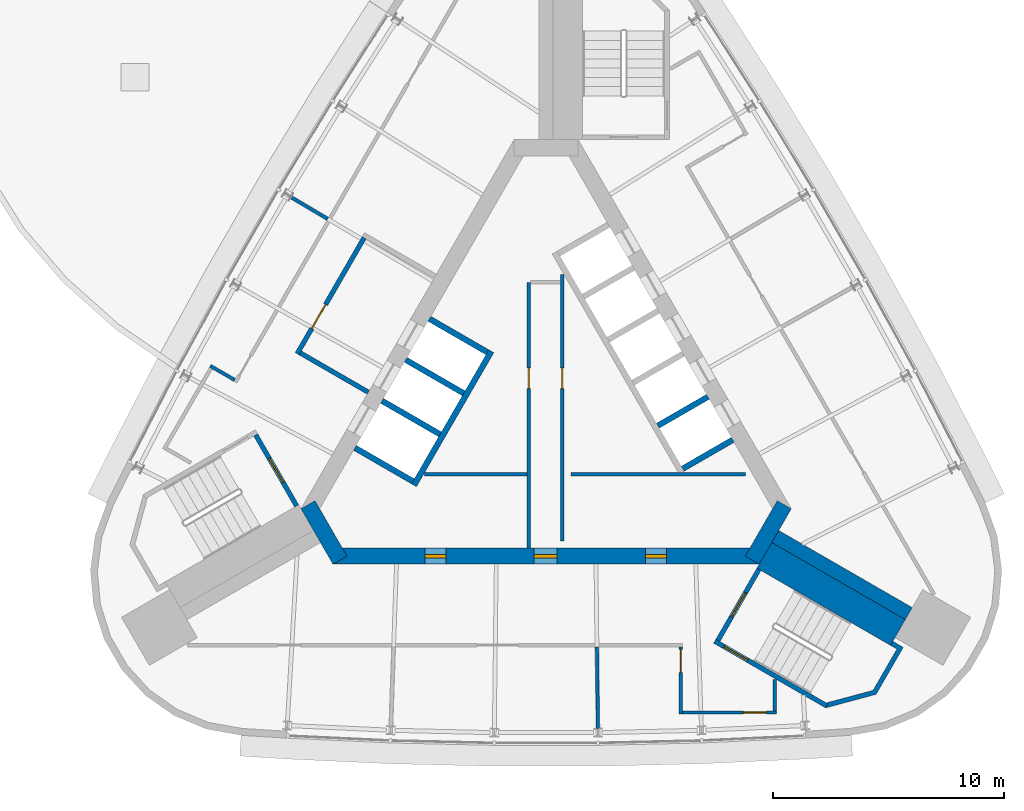
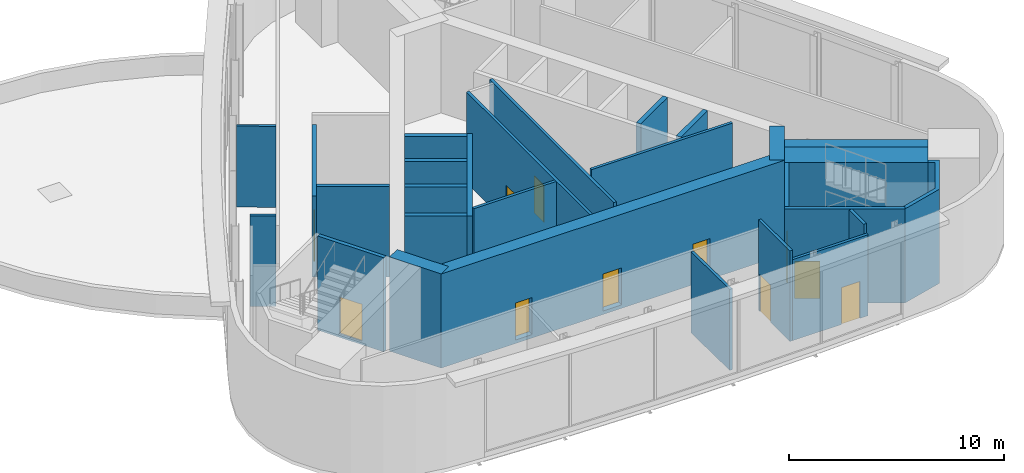
# One storey, part 4 of 8: 28 walls, 11 doors, 11 openings.
"""IFC4 building model written with IfcOpenShell, lengths in metres."""

import ifcopenshell
import ifcopenshell.guid

model = None  # the IFC model being written
_history = None  # IfcOwnerHistory: only IFC2X3 demands one
_inside = {}  # id of a spatial element -> (the spatial element, [elements in it])
_under = {}  # id of a project, library or spatial element -> (it, [spatial elements below it])
_declared = {}  # id of a project -> (the project, [libraries it declares])
_typed = {}  # id of a type object -> (the type object, [elements of that type])
_made_of = {}  # id of a material, layer set ... -> (it, [elements and type objects made of it])


def new_model(schema):
    """Start an empty IFC model of exactly this schema.

    Asked for "IFC4X3", IfcOpenShell would pick the latest addendum, in which some entities
    have other attributes; the version numbers below select the first issue.
    IFC2X3 requires an IfcOwnerHistory on every rooted entity: one is made here for all.
    """
    global model, _history
    if schema == "IFC4X3":
        model = ifcopenshell.file(schema_version=(4, 3, 0, 0))
    else:
        model = ifcopenshell.file(schema=schema)
    _inside.clear()
    _under.clear()
    _declared.clear()
    _typed.clear()
    _made_of.clear()
    _history = None
    if model.schema == "IFC2X3":
        org = make("IfcOrganization", Name="unknown")
        user = make(
            "IfcPersonAndOrganization",
            ThePerson=make("IfcPerson", FamilyName="unknown"),
            TheOrganization=org,
        )
        app = make(
            "IfcApplication",
            ApplicationDeveloper=org,
            Version="unknown",
            ApplicationFullName="unknown",
            ApplicationIdentifier="unknown",
        )
        _history = make(
            "IfcOwnerHistory",
            OwningUser=user,
            OwningApplication=app,
            ChangeAction="ADDED",
            CreationDate=0,
        )
    return model


def make(cls, **values):
    """One entity of the class cls with the attributes given. An attribute that is None is left unset."""
    return model.create_entity(
        cls, **{name: value for name, value in values.items() if value is not None}
    )


def rooted(cls, **values):
    """An entity with a GlobalId (a new one), such as an element, a storey or a relation."""
    return make(cls, GlobalId=ifcopenshell.guid.new(), OwnerHistory=_history, **values)


def si_unit(unit_type, name, prefix=None):
    """IfcSIUnit, for example si_unit("LENGTHUNIT", "METRE", prefix="MILLI")."""
    return make("IfcSIUnit", UnitType=unit_type, Prefix=prefix, Name=name)


def assignment(units):
    """IfcUnitAssignment: the units of a project."""
    return None if units is None else make("IfcUnitAssignment", Units=units)


def point(xyz):
    """IfcCartesianPoint."""
    return None if xyz is None else make("IfcCartesianPoint", Coordinates=xyz)


def direction(xyz):
    """IfcDirection."""
    return None if xyz is None else make("IfcDirection", DirectionRatios=xyz)


def frame(location, z_axis=None, x_axis=None):
    """IfcAxis2Placement3D, a coordinate frame: its origin and axes. An axis left out is left unset."""
    return make(
        "IfcAxis2Placement3D",
        Location=point(location),
        Axis=direction(z_axis),
        RefDirection=direction(x_axis),
    )


def frame_2d(location, x_axis=None):
    """IfcAxis2Placement2D, a coordinate frame in the plane: its origin and x axis."""
    return make(
        "IfcAxis2Placement2D", Location=point(location), RefDirection=direction(x_axis)
    )


def origin():
    """The frame at (0, 0, 0) with its axes left unset."""
    return frame((0.0, 0.0, 0.0))


def place(relative_to, where):
    """IfcLocalPlacement: puts the frame where relative to a parent placement (None: the world)."""
    return make(
        "IfcLocalPlacement", PlacementRelTo=relative_to, RelativePlacement=where
    )


def context(
    kind, dimensions, precision=None, world=None, true_north=None, identifier=None
):
    """IfcGeometricRepresentationContext, for example the 3D "Model" context."""
    return make(
        "IfcGeometricRepresentationContext",
        ContextIdentifier=identifier,
        ContextType=kind,
        CoordinateSpaceDimension=dimensions,
        Precision=precision,
        WorldCoordinateSystem=world,
        TrueNorth=true_north,
    )


def subcontext(parent, identifier, kind, view, scale=None):
    """IfcGeometricRepresentationSubContext, for example "Body" below "Model"."""
    return make(
        "IfcGeometricRepresentationSubContext",
        ContextIdentifier=identifier,
        ContextType=kind,
        ParentContext=parent,
        TargetScale=scale,
        TargetView=view,
    )


def project(units=None, contexts=None):
    """IfcProject with its units and contexts."""
    return rooted(
        "IfcProject",
        Name="project",
        RepresentationContexts=contexts,
        UnitsInContext=assignment(units),
    )


def spatial(cls, under=None, at=None, **own):
    """A site, building, storey or space (cls), placed at a placement, below another one or the project."""
    s = rooted(cls, ObjectPlacement=at, **own)
    if under is not None:
        _under.setdefault(under.id(), (under, []))[1].append(s)
    return s


def polyline(points):
    """IfcPolyline through the points."""
    return make("IfcPolyline", Points=[point(p) for p in points])


def profile(cls, at=None, kind="AREA", **sizes):
    """A parametric profile (cls). Its sizes go by their IFC names, for example OverallWidth=200.0."""
    return make(cls, ProfileType=kind, Position=at, **sizes)


def rectangle(**sizes):
    """IfcRectangleProfileDef."""
    return profile("IfcRectangleProfileDef", **sizes)


def outline(outer, holes=None, kind="AREA"):
    """IfcArbitraryClosedProfileDef: a profile drawn as a closed curve; with holes, ...WithVoids."""
    if holes is None:
        return make("IfcArbitraryClosedProfileDef", ProfileType=kind, OuterCurve=outer)
    return make(
        "IfcArbitraryProfileDefWithVoids",
        ProfileType=kind,
        OuterCurve=outer,
        InnerCurves=holes,
    )


def extrude(swept, where, along, depth):
    """IfcExtrudedAreaSolid: the profile swept, set in the frame where, extruded along a direction by depth."""
    return make(
        "IfcExtrudedAreaSolid",
        SweptArea=swept,
        Position=where,
        ExtrudedDirection=direction(along),
        Depth=depth,
    )


def shape(context_of_items, identifier, shape_type, items):
    """IfcShapeRepresentation: the items that make up one representation, for example the "Body"."""
    return make(
        "IfcShapeRepresentation",
        ContextOfItems=context_of_items,
        RepresentationIdentifier=identifier,
        RepresentationType=shape_type,
        Items=items,
    )


def material(Name=None, Category=None):
    """IfcMaterial."""
    return make("IfcMaterial", Name=Name, Category=Category)


def layer(
    of_material, thickness, ventilated=None, Name=None, Category=None, Priority=None
):
    """IfcMaterialLayer: one layer of a wall or slab, of a material (None: an air gap)."""
    return make(
        "IfcMaterialLayer",
        Material=of_material,
        LayerThickness=thickness,
        IsVentilated=ventilated,
        Name=Name,
        Category=Category,
        Priority=Priority,
    )


def layer_set(layers, Name=None):
    """IfcMaterialLayerSet."""
    return make("IfcMaterialLayerSet", MaterialLayers=layers, LayerSetName=Name)


def made_of(thing, what):
    """Note that an element or type object is made of a material, layer set ...; save() writes the relation."""
    if what is not None:
        _made_of.setdefault(what.id(), (what, []))[1].append(thing)
    return thing


def type_object(cls, material=None, **own):
    """A type object (cls), such as IfcWallType, which elements share."""
    return made_of(rooted(cls, **own), material)


def element(
    cls,
    number,
    at=None,
    inside=None,
    cuts=None,
    type_object=None,
    material=None,
    context=None,
    identifier="Body",
    shape_type=None,
    held_by="IfcProductDefinitionShape",
    body=None,
    shapes=None,
    **own,
):
    """One element of the class cls, such as IfcWall. Its Tag is "e" and its number.

    at: its placement. inside: the storey or other place that contains it. cuts: it is an
    opening in that element (IfcRelVoidsElement). A single representation is given by context,
    identifier, shape_type and body (its items); several are given by shapes. held_by: the class
    of the entity that holds the representations. save() writes the other relations.
    """
    e = rooted(cls, Tag="e%d" % number, ObjectPlacement=at, **own)
    if body is not None:
        shapes = [shape(context, identifier, shape_type, body)]
    if shapes is not None:
        e.Representation = make(held_by, Representations=shapes)
    if inside is not None:
        _inside.setdefault(inside.id(), (inside, []))[1].append(e)
    if cuts is not None:
        rooted(
            "IfcRelVoidsElement", RelatingBuildingElement=cuts, RelatedOpeningElement=e
        )
    if type_object is not None:
        _typed.setdefault(type_object.id(), (type_object, []))[1].append(e)
    return made_of(e, material)


def fill(opening, filler):
    """IfcRelFillsElement: the door or window that sits in an opening."""
    return rooted(
        "IfcRelFillsElement",
        RelatingOpeningElement=opening,
        RelatedBuildingElement=filler,
    )


def aggregate(whole, parts):
    """IfcRelAggregates: a whole, such as a stair, and the parts it consists of."""
    return rooted("IfcRelAggregates", RelatingObject=whole, RelatedObjects=parts)


def save(model, path):
    """Write the relations noted so far, then the file.

    IfcRelAggregates (storeys below a building ...), IfcRelContainedInSpatialStructure (elements
    in a storey), IfcRelDefinesByType, IfcRelAssociatesMaterial and IfcRelDeclares: one each for
    every whole, place, type object, material and project.
    """
    for whole, parts in _under.values():
        aggregate(whole, parts)
    for where, things in _inside.values():
        rooted(
            "IfcRelContainedInSpatialStructure",
            RelatedElements=things,
            RelatingStructure=where,
        )
    for kind, things in _typed.values():
        rooted("IfcRelDefinesByType", RelatedObjects=things, RelatingType=kind)
    for what, things in _made_of.values():
        rooted("IfcRelAssociatesMaterial", RelatedObjects=things, RelatingMaterial=what)
    for by, libraries in _declared.values():
        rooted("IfcRelDeclares", RelatingContext=by, RelatedDefinitions=libraries)
    model.write(path)


model = new_model("IFC4")

# Units and contexts
model_context = context("Model", 3, precision=1e-05, world=origin(), true_north=direction((0.0, 1.0)))
body_context = subcontext(model_context, "Body", "Model", "MODEL_VIEW")
ifc_project = project(units=[si_unit("LENGTHUNIT", "METRE"), si_unit("AREAUNIT", "SQUARE_METRE"), si_unit("VOLUMEUNIT", "CUBIC_METRE"), si_unit("PLANEANGLEUNIT", "RADIAN"), si_unit("MASSUNIT", "GRAM", prefix="KILO")], contexts=[model_context])

# Site, building, storey
site_placement = place(None, origin())
site = spatial("IfcSite", under=ifc_project, at=site_placement, CompositionType="ELEMENT")
building_placement = place(site_placement, origin())
building = spatial("IfcBuilding", under=site, at=building_placement, Name="Noor Cloister Tower", CompositionType="ELEMENT")
storey_placement = place(building_placement, frame((0.0, 0.0, 274.199951171875)))
storey = spatial("IfcBuildingStorey", under=building, at=storey_placement, Name="L70", CompositionType="ELEMENT", Elevation=274.199951171875)

# Walls
ifc_material_1 = material(Name="Concrete C60/75", Category="concrete")
ifc_layer_1 = layer(ifc_material_1, 0.60009765625)
ifc_layer_set_1 = layer_set([ifc_layer_1], Name="Buttress wall 600 C60/75")
wall_type_1 = type_object("IfcWallType", Name="Buttress wall 600 C60/75", PredefinedType="SHEAR", material=ifc_layer_set_1)
wall_1_placement = place(storey_placement, frame((9.921630859375, -5.728271484375, -0.199951171875), z_axis=(0.0, 0.0, 1.0), x_axis=(0.866032176823, -0.499988268569, 0.0)))
element("IfcWall", 1, at=wall_1_placement, inside=storey, type_object=wall_type_1, Name="Buttress wall SE L70", PredefinedType="SHEAR", context=body_context, shape_type="SweptSolid", body=[
    extrude(rectangle(XDim=6.678466796875, YDim=0.60009765625, at=frame_2d((3.33935546875, 0.0))), origin(), (0.0, 0.0, 1.0), 5.35009765625),
])
ifc_material_2 = material(Name="Concrete C30/37", Category="concrete")
ifc_layer_2 = layer(ifc_material_2, 0.14990234375)
ifc_layer_set_2 = layer_set([ifc_layer_2], Name="Core partition 150 C30/37")
wall_type_2 = type_object("IfcWallType", Name="Core partition 150 C30/37", PredefinedType="PARTITIONING", material=ifc_layer_set_2)
wall_2_placement = place(storey_placement, frame((-5.2578125, -3.0283203125, 0.0), z_axis=(0.0, 0.0, 1.0), x_axis=(1.0, 0.0, 0.0)))
element("IfcWall", 2, at=wall_2_placement, inside=storey, type_object=wall_type_2, Name="Core room partition L70 1", PredefinedType="PARTITIONING", context=body_context, shape_type="SweptSolid", body=[
    extrude(rectangle(XDim=4.42919921875, YDim=0.14990234375, at=frame_2d((2.214599609375, 0.0))), origin(), (0.0, 0.0, 1.0), 5.150146484375),
])

# Wall, opening, door
wall_3_placement = place(storey_placement, frame((-0.753662109375, 5.271728515625, 0.0), z_axis=(0.0, 0.0, 1.0), x_axis=(0.0, -1.0, 0.0)))
wall_3 = element("IfcWall", 3, at=wall_3_placement, inside=storey, type_object=wall_type_2, Name="Core room partition L70 2", PredefinedType="PARTITIONING", context=body_context, shape_type="SweptSolid", body=[
    extrude(rectangle(XDim=11.5, YDim=0.14990234375, at=frame_2d((5.75, 0.0))), origin(), (0.0, 0.0, 1.0), 5.150146484375),
])
opening_1_placement = place(wall_3_placement, frame((3.700927734375, 0.0, 0.0)))
opening_1 = element("IfcOpeningElement", 4, at=opening_1_placement, cuts=wall_3, Name="Opening L70-904", PredefinedType="OPENING", context=body_context, shape_type="SweptSolid", body=[
    extrude(rectangle(XDim=0.89990234375, YDim=2.10009765625, at=frame_2d((0.449951171875, 1.050048828125))), frame((0.0, 0.0849609375, 0.0), z_axis=(0.0, -1.0, 0.0), x_axis=(1.0, 0.0, 0.0)), (0.0, 0.0, 1.0), 0.169921875),
])
ifc_material_3 = material(Name="Steel", Category="steel")
door_type_1 = type_object("IfcDoorType", Name="Core door 900 x 2100 FD60", OperationType="SINGLE_SWING_LEFT", PredefinedType="DOOR", material=ifc_material_3)
door_1_placement = place(opening_1_placement, origin())
door_1 = element("IfcDoor", 5, at=door_1_placement, inside=storey, type_object=door_type_1, Name="Core door 4 L70", OperationType="SINGLE_SWING_RIGHT", OverallHeight=2.10009765625, OverallWidth=0.89990234375, PredefinedType="DOOR", context=body_context, shape_type="SweptSolid", body=[
    extrude(rectangle(XDim=0.89990234375, YDim=2.10009765625, at=frame_2d((0.449951171875, 1.050048828125))), frame((0.0, 0.02490234375, 0.0), z_axis=(0.0, -1.0, 0.0), x_axis=(1.0, 0.0, 0.0)), (0.0, 0.0, 1.0), 0.050048828125),
])
fill(opening_1, door_1)

wall_4_placement = place(storey_placement, frame((0.6962890625, -5.92822265625, 0.0), z_axis=(0.0, 0.0, 1.0), x_axis=(0.0, 1.0, 0.0)))
wall_4 = element("IfcWall", 6, at=wall_4_placement, inside=storey, type_object=wall_type_2, Name="Core room partition L70 4", PredefinedType="PARTITIONING", context=body_context, shape_type="SweptSolid", body=[
    extrude(rectangle(XDim=11.548583984375, YDim=0.14990234375, at=frame_2d((5.7744140625, 0.0))), origin(), (0.0, 0.0, 1.0), 5.150146484375),
])
opening_2_placement = place(wall_4_placement, frame((6.60009765625, 0.0, 0.0)))
opening_2 = element("IfcOpeningElement", 7, at=opening_2_placement, cuts=wall_4, Name="Opening L70-905", PredefinedType="OPENING", context=body_context, shape_type="SweptSolid", body=[
    extrude(rectangle(XDim=0.89990234375, YDim=2.10009765625, at=frame_2d((0.449951171875, 1.050048828125))), frame((0.0, 0.0849609375, 0.0), z_axis=(0.0, -1.0, 0.0), x_axis=(1.0, 0.0, 0.0)), (0.0, 0.0, 1.0), 0.169921875),
])
ifc_material_4 = material(Name="Steel", Category="steel")
door_type_2 = type_object("IfcDoorType", Name="Core door 900 x 2100 FD120", OperationType="SINGLE_SWING_LEFT", PredefinedType="DOOR", material=ifc_material_4)
door_2_placement = place(opening_2_placement, origin())
door_2 = element("IfcDoor", 8, at=door_2_placement, inside=storey, type_object=door_type_2, Name="Core door 5 L70", OperationType="SINGLE_SWING_LEFT", OverallHeight=2.10009765625, OverallWidth=0.89990234375, PredefinedType="DOOR", context=body_context, shape_type="SweptSolid", body=[
    extrude(rectangle(XDim=0.89990234375, YDim=2.10009765625, at=frame_2d((0.449951171875, 1.050048828125))), frame((0.0, 0.02490234375, 0.0), z_axis=(0.0, -1.0, 0.0), x_axis=(1.0, 0.0, 0.0)), (0.0, 0.0, 1.0), 0.050048828125),
])
fill(opening_2, door_2)

# Wall
wall_5_placement = place(storey_placement, frame((1.0712890625, -3.0283203125, 0.0), z_axis=(0.0, 0.0, 1.0), x_axis=(1.0, 0.0, 0.0)))
element("IfcWall", 9, at=wall_5_placement, inside=storey, type_object=wall_type_2, Name="Core room partition L70 5", PredefinedType="PARTITIONING", context=body_context, shape_type="SweptSolid", body=[
    extrude(rectangle(XDim=7.568603515625, YDim=0.14990234375, at=frame_2d((3.7841796875, 0.0))), origin(), (0.0, 0.0, 1.0), 5.150146484375),
])

# Wall, openings, doors
ifc_material_5 = material(Name="Concrete C60/75", Category="concrete")
ifc_layer_3 = layer(ifc_material_5, 0.699951171875)
ifc_layer_set_3 = layer_set([ifc_layer_3], Name="Core wall 700 C60/75")
wall_type_3 = type_object("IfcWallType", Name="Core wall 700 C60/75", PredefinedType="SHEAR", material=ifc_layer_set_3)
wall_6_placement = place(storey_placement, frame((-9.228759765625, -6.578125, -0.199951171875), z_axis=(0.0, 0.0, 1.0), x_axis=(1.0, 0.0, 0.0)))
wall_6 = element("IfcWall", 10, at=wall_6_placement, inside=storey, type_object=wall_type_3, Name="Core wall L70 1", PredefinedType="SHEAR", context=body_context, shape_type="SweptSolid", body=[
    extrude(rectangle(XDim=18.45751953125, YDim=0.699951171875, at=frame_2d((9.228759765625, 0.0))), origin(), (0.0, 0.0, 1.0), 5.35009765625),
])
opening_3_placement = place(wall_6_placement, frame((8.699951171875, 0.0, 0.199951171875)))
opening_3 = element("IfcOpeningElement", 11, at=opening_3_placement, cuts=wall_6, Name="Opening L70-901", PredefinedType="OPENING", context=body_context, shape_type="SweptSolid", body=[
    extrude(rectangle(XDim=1.0, YDim=2.10009765625, at=frame_2d((0.5, 1.050048828125))), frame((0.0, 0.35986328125, 0.0), z_axis=(0.0, -1.0, 0.0), x_axis=(1.0, 0.0, 0.0)), (0.0, 0.0, 1.0), 0.719970703125),
])
opening_4_placement = place(wall_6_placement, frame((3.989501953125, 0.0, 0.199951171875)))
opening_4 = element("IfcOpeningElement", 12, at=opening_4_placement, cuts=wall_6, Name="Opening L70-902", PredefinedType="OPENING", context=body_context, shape_type="SweptSolid", body=[
    extrude(rectangle(XDim=0.89990234375, YDim=2.10009765625, at=frame_2d((0.449951171875, 1.050048828125))), frame((0.0, 0.35986328125, 0.0), z_axis=(0.0, -1.0, 0.0), x_axis=(1.0, 0.0, 0.0)), (0.0, 0.0, 1.0), 0.719970703125),
])
opening_5_placement = place(wall_6_placement, frame((13.5390625, 0.0, 0.199951171875)))
opening_5 = element("IfcOpeningElement", 13, at=opening_5_placement, cuts=wall_6, Name="Opening L70-903", PredefinedType="OPENING", context=body_context, shape_type="SweptSolid", body=[
    extrude(rectangle(XDim=0.89990234375, YDim=2.10009765625, at=frame_2d((0.449951171875, 1.050048828125))), frame((0.0, 0.35986328125, 0.0), z_axis=(0.0, -1.0, 0.0), x_axis=(1.0, 0.0, 0.0)), (0.0, 0.0, 1.0), 0.719970703125),
])
ifc_material_6 = material(Name="Steel", Category="steel")
door_type_3 = type_object("IfcDoorType", Name="Core door 1000 x 2100 FD120", OperationType="SINGLE_SWING_LEFT", PredefinedType="DOOR", material=ifc_material_6)
door_3_placement = place(opening_3_placement, origin())
door_3 = element("IfcDoor", 14, at=door_3_placement, inside=storey, type_object=door_type_3, Name="Core door 1 L70", OperationType="SINGLE_SWING_LEFT", OverallHeight=2.10009765625, OverallWidth=1.0, PredefinedType="DOOR", context=body_context, shape_type="SweptSolid", body=[
    extrude(rectangle(XDim=1.0, YDim=2.10009765625, at=frame_2d((0.5, 1.050048828125))), frame((0.0, 0.074951171875, 0.0), z_axis=(0.0, -1.0, 0.0), x_axis=(1.0, 0.0, 0.0)), (0.0, 0.0, 1.0), 0.14990234375),
])
fill(opening_3, door_3)
door_4_placement = place(opening_4_placement, origin())
door_4 = element("IfcDoor", 15, at=door_4_placement, inside=storey, type_object=door_type_2, Name="Core door 2 L70", OperationType="SINGLE_SWING_RIGHT", OverallHeight=2.10009765625, OverallWidth=0.89990234375, PredefinedType="DOOR", context=body_context, shape_type="SweptSolid", body=[
    extrude(rectangle(XDim=0.89990234375, YDim=2.10009765625, at=frame_2d((0.449951171875, 1.050048828125))), frame((0.0, 0.074951171875, 0.0), z_axis=(0.0, -1.0, 0.0), x_axis=(1.0, 0.0, 0.0)), (0.0, 0.0, 1.0), 0.14990234375),
])
fill(opening_4, door_4)
door_5_placement = place(opening_5_placement, origin())
door_5 = element("IfcDoor", 16, at=door_5_placement, inside=storey, type_object=door_type_1, Name="Core door 3 L70", OperationType="SINGLE_SWING_LEFT", OverallHeight=2.10009765625, OverallWidth=0.89990234375, PredefinedType="DOOR", context=body_context, shape_type="SweptSolid", body=[
    extrude(rectangle(XDim=0.89990234375, YDim=2.10009765625, at=frame_2d((0.449951171875, 1.050048828125))), frame((0.0, 0.074951171875, 0.0), z_axis=(0.0, -1.0, 0.0), x_axis=(1.0, 0.0, 0.0)), (0.0, 0.0, 1.0), 0.14990234375),
])
fill(opening_5, door_5)

# Walls
for number, where, z_axis, x_axis, name in (
    (17, (8.925537109375, -6.753173828125, -0.199951171875), (0.0, 0.0, 1.0), (0.500042739161, 0.866000726912, 0.0), "Core wall L70 2"),
    (18, (-10.311279296875, -4.353271484375, -0.199951171875), (0.0, 0.0, 1.0), (0.500042739161, -0.866000726912, 0.0), "Core wall L70 6"),
):
    element("IfcWall", number, at=place(storey_placement, frame(where, z_axis=z_axis, x_axis=x_axis)), inside=storey, type_object=wall_type_3, Name=name, PredefinedType="SHEAR", context=body_context, shape_type="SweptSolid", body=[
        extrude(rectangle(XDim=2.771240234375, YDim=0.699951171875, at=frame_2d((1.3857421875, 0.0))), origin(), (0.0, 0.0, 1.0), 5.35009765625),
    ])
ifc_material_7 = material(Name="Concrete C60/75", Category="concrete")
ifc_layer_4 = layer(ifc_material_7, 0.25)
ifc_layer_set_4 = layer_set([ifc_layer_4], Name="Shaft wall 250 C60/75")
wall_type_4 = type_object("IfcWallType", Name="Shaft wall 250 C60/75", PredefinedType="PARTITIONING", material=ifc_layer_set_4)
for number, where, z_axis, x_axis, name in (
    (19, (8.081298828125, -1.540771484375, -0.199951171875), (0.0, 0.0, 1.0), (-0.866022959057, -0.500004234368, 0.0), "Lift shaft wall L70 NE 1"),
    (20, (7.00634765625, 0.3212890625, -0.199951171875), (0.0, 0.0, 1.0), (-0.866022959057, -0.500004234368, 0.0), "Lift shaft wall L70 NE 2"),
):
    element("IfcWall", number, at=place(storey_placement, frame(where, z_axis=z_axis, x_axis=x_axis)), inside=storey, type_object=wall_type_4, Name=name, PredefinedType="PARTITIONING", context=body_context, shape_type="SweptSolid", body=[
        extrude(rectangle(XDim=2.5, YDim=0.25, at=frame_2d((1.25, 0.0))), origin(), (0.0, 0.0, 1.0), 5.35009765625),
    ])
for number, where, z_axis, x_axis, name in (
    (21, (-5.056396484375, 3.69873046875, -0.199951171875), (0.0, 0.0, 1.0), (0.866032775405, -0.499987231761, 0.0), "Lift shaft wall L70 NW 3"),
    (22, (-6.081298828125, 1.92333984375, -0.199951171875), (0.0, 0.0, 1.0), (0.866032775405, -0.499987231761, 0.0), "Lift shaft wall L70 NW 4"),
    (23, (-7.106201171875, 0.14794921875, -0.199951171875), (0.0, 0.0, 1.0), (0.866032775405, -0.499987231761, 0.0), "Lift shaft wall L70 NW 5"),
    (24, (-8.28125, -1.88720703125, -0.199951171875), (0.0, 0.0, 1.0), (0.866032775405, -0.499987231761, 0.0), "Lift shaft wall L70 NW 6"),
):
    element("IfcWall", number, at=place(storey_placement, frame(where, z_axis=z_axis, x_axis=x_axis)), inside=storey, type_object=wall_type_4, Name=name, PredefinedType="PARTITIONING", context=body_context, shape_type="SweptSolid", body=[
        extrude(rectangle(XDim=2.89990234375, YDim=0.25, at=frame_2d((1.449951171875, 0.0))), origin(), (0.0, 0.0, 1.0), 5.35009765625),
    ])
wall_7_placement = place(storey_placement, frame((-2.3740234375, 2.29443359375, 0.0), z_axis=(0.0, 0.0, 1.0), x_axis=(-0.500003174267, -0.866023571113, 0.0)))
element("IfcWall", 25, at=wall_7_placement, inside=storey, type_object=wall_type_4, Name="Lift shaft back wall L70 NW", PredefinedType="PARTITIONING", context=body_context, shape_type="SweptSolid", body=[
    extrude(rectangle(XDim=6.7001953125, YDim=0.25, at=frame_2d((3.35009765625, 0.0))), origin(), (0.0, 0.0, 1.0), 5.150146484375),
])
ifc_material_8 = material(Name="Concrete C60/75", Category="concrete")
ifc_layer_5 = layer(ifc_material_8, 1.285888671875)
ifc_layer_set_5 = layer_set([ifc_layer_5], Name="Stair enclosure wall 1286 C60/75")
wall_type_5 = type_object("IfcWallType", Name="Stair enclosure wall 1286 C60/75", PredefinedType="SHEAR", material=ifc_layer_set_5)
wall_8_placement = place(storey_placement, frame((9.4501953125, -6.544677734375, -0.199951171875), z_axis=(0.0, 0.0, 1.0), x_axis=(0.866016347338, -0.500015685897, 0.0)))
element("IfcWall", 26, at=wall_8_placement, inside=storey, type_object=wall_type_5, Name="Stair enclosure wall ST3 L70 riser side", PredefinedType="SHEAR", context=body_context, shape_type="SweptSolid", body=[
    extrude(rectangle(XDim=6.678466796875, YDim=1.28564453125, at=frame_2d((3.33935546875, 0.0))), origin(), (0.0, 0.0, 1.0), 5.35009765625),
])

# Wall, opening, door
ifc_material_9 = material(Name="Concrete C60/75", Category="concrete")
ifc_layer_6 = layer(ifc_material_9, 0.199951171875)
ifc_layer_set_6 = layer_set([ifc_layer_6], Name="Stair enclosure wall 200 C60/75")
wall_type_6 = type_object("IfcWallType", Name="Stair enclosure wall 200 C60/75", PredefinedType="SHEAR", material=ifc_layer_set_6)
wall_9_placement = place(storey_placement, frame((-12.575927734375, -1.33056640625, -0.199951171875), z_axis=(0.0, 0.0, 1.0), x_axis=(0.499970499736, -0.8660424351, 0.0)))
wall_9 = element("IfcWall", 27, at=wall_9_placement, inside=storey, type_object=wall_type_6, Name="Stair enclosure wall ST2 L70 near end", PredefinedType="SHEAR", context=body_context, shape_type="SweptSolid", body=[
    extrude(rectangle(XDim=3.550048828125, YDim=0.199951171875, at=frame_2d((1.77490234375, 0.0))), origin(), (0.0, 0.0, 1.0), 5.35009765625),
])
opening_6_placement = place(wall_9_placement, frame((1.175048828125, 0.0, 0.199951171875)))
opening_6 = element("IfcOpeningElement", 28, at=opening_6_placement, cuts=wall_9, Name="Opening L70-ST2L", PredefinedType="OPENING", context=body_context, shape_type="SweptSolid", body=[
    extrude(rectangle(XDim=1.199951171875, YDim=2.10009765625, at=frame_2d((0.60009765625, 1.050048828125))), frame((0.0, 0.10986328125, 0.0), z_axis=(0.0, -1.0, 0.0), x_axis=(1.0, 0.0, 0.0)), (0.0, 0.0, 1.0), 0.219970703125),
])
ifc_material_10 = material(Name="Steel", Category="steel")
door_type_4 = type_object("IfcDoorType", Name="Stair door 1200 x 2100 FD120", OperationType="SINGLE_SWING_LEFT", PredefinedType="DOOR", material=ifc_material_10)
door_6_placement = place(opening_6_placement, origin())
door_6 = element("IfcDoor", 29, at=door_6_placement, inside=storey, type_object=door_type_4, Name="Stair door ST2 L70", OperationType="SINGLE_SWING_RIGHT", OverallHeight=2.10009765625, OverallWidth=1.199951171875, PredefinedType="DOOR", context=body_context, shape_type="SweptSolid", body=[
    extrude(rectangle(XDim=1.199951171875, YDim=2.10009765625, at=frame_2d((0.60009765625, 1.050048828125))), frame((0.0, 0.02490234375, 0.0), z_axis=(0.0, -1.0, 0.0), x_axis=(1.0, 0.0, 0.0)), (0.0, 0.0, 1.0), 0.050048828125),
])
fill(opening_6, door_6)

wall_10_placement = place(storey_placement, frame((7.440185546875, -10.225830078125, -0.199951171875), z_axis=(0.0, 0.0, 1.0), x_axis=(0.500022077904, 0.866012656725, 0.0)))
wall_10 = element("IfcWall", 30, at=wall_10_placement, inside=storey, type_object=wall_type_6, Name="Stair enclosure wall ST3 L70 near end", PredefinedType="SHEAR", context=body_context, shape_type="SweptSolid", body=[
    extrude(rectangle(XDim=3.550048828125, YDim=0.199951171875, at=frame_2d((1.77490234375, 0.0))), origin(), (0.0, 0.0, 1.0), 5.35009765625),
])
opening_7_placement = place(wall_10_placement, frame((1.175048828125, 0.0, 0.199951171875)))
opening_7 = element("IfcOpeningElement", 31, at=opening_7_placement, cuts=wall_10, Name="Opening L70-ST3L", PredefinedType="OPENING", context=body_context, shape_type="SweptSolid", body=[
    extrude(rectangle(XDim=1.199951171875, YDim=2.10009765625, at=frame_2d((0.60009765625, 1.050048828125))), frame((0.0, 0.10986328125, 0.0), z_axis=(0.0, -1.0, 0.0), x_axis=(1.0, 0.0, 0.0)), (0.0, 0.0, 1.0), 0.219970703125),
])
door_7_placement = place(opening_7_placement, origin())
door_7 = element("IfcDoor", 32, at=door_7_placement, inside=storey, type_object=door_type_4, Name="Stair door ST3 L70", OperationType="SINGLE_SWING_RIGHT", OverallHeight=2.10009765625, OverallWidth=1.199951171875, PredefinedType="DOOR", context=body_context, shape_type="SweptSolid", body=[
    extrude(rectangle(XDim=1.199951171875, YDim=2.10009765625, at=frame_2d((0.60009765625, 1.050048828125))), frame((0.0, 0.02490234375, 0.0), z_axis=(0.0, -1.0, 0.0), x_axis=(1.0, 0.0, 0.0)), (0.0, 0.0, 1.0), 0.050048828125),
])
fill(opening_7, door_7)

wall_11_placement = place(storey_placement, frame((7.3037109375, -10.262451171875, -0.199951171875), z_axis=(0.0, 0.0, 1.0), x_axis=(0.866026594901, -0.49999793692, 0.0)))
wall_11 = element("IfcWall", 33, at=wall_11_placement, inside=storey, type_object=wall_type_6, Name="Stair enclosure wall ST3 L70 outer side", PredefinedType="SHEAR", context=body_context, shape_type="SweptSolid", body=[
    extrude(rectangle(XDim=5.60009765625, YDim=0.199951171875, at=frame_2d((2.800048828125, 0.0))), origin(), (0.0, 0.0, 1.0), 5.35009765625),
])
opening_8_placement = place(wall_11_placement, frame((0.449951171875, 0.0, 0.199951171875)))
opening_8 = element("IfcOpeningElement", 34, at=opening_8_placement, cuts=wall_11, Name="Opening L70-ST3C", PredefinedType="OPENING", context=body_context, shape_type="SweptSolid", body=[
    extrude(rectangle(XDim=1.199951171875, YDim=2.10009765625, at=frame_2d((0.60009765625, 1.050048828125))), frame((0.0, 0.10986328125, 0.0), z_axis=(0.0, -1.0, 0.0), x_axis=(1.0, 0.0, 0.0)), (0.0, 0.0, 1.0), 0.219970703125),
])
door_8_placement = place(opening_8_placement, origin())
door_8 = element("IfcDoor", 35, at=door_8_placement, inside=storey, type_object=door_type_4, Name="Stair door ST3 L70", OperationType="SINGLE_SWING_LEFT", OverallHeight=2.10009765625, OverallWidth=1.199951171875, PredefinedType="DOOR", context=body_context, shape_type="SweptSolid", body=[
    extrude(rectangle(XDim=1.199951171875, YDim=2.10009765625, at=frame_2d((0.60009765625, 1.050048828125))), frame((0.0, 0.02490234375, 0.0), z_axis=(0.0, -1.0, 0.0), x_axis=(1.0, 0.0, 0.0)), (0.0, 0.0, 1.0), 0.050048828125),
])
fill(opening_8, door_8)

# Walls
ifc_material_11 = material(Name="Concrete C60/75", Category="concrete")
wall_type_7 = type_object("IfcWallType", Name="Stair far end wall C60/75", PredefinedType="SHEAR", material=ifc_material_11)
wall_12_placement = place(storey_placement, frame((0.0, 0.0, -0.199951171875)))
element("IfcWall", 36, at=wall_12_placement, inside=storey, type_object=wall_type_7, Name="Stair enclosure wall ST3 L70 far end", PredefinedType="SHEAR", context=body_context, shape_type="SweptSolid", body=[
    extrude(outline(polyline([(12.103515625, -13.14892578125), (14.2890625, -12.5634765625), (15.464111328125, -10.5283203125), (15.0126953125, -10.267578125), (14.91259765625, -10.440673828125), (15.19091796875, -10.601318359375), (14.1572265625, -12.3916015625), (12.131591796875, -12.934326171875), (12.20361328125, -12.975830078125), (12.20361328125, -12.975830078125), (12.20361328125, -12.975830078125), (12.20361328125, -12.975830078125), (12.20361328125, -12.975830078125), (12.20361328125, -12.975830078125), (12.20361328125, -12.975830078125), (12.20361328125, -12.975830078125), (12.20361328125, -12.975830078125), (12.20361328125, -12.975830078125), (12.20361328125, -12.975830078125), (12.20361328125, -12.975830078125), (12.20361328125, -12.975830078125), (12.20361328125, -12.975830078125), (12.20361328125, -12.975830078125), (12.20361328125, -12.975830078125), (12.20361328125, -12.975830078125), (12.103515625, -13.14892578125)])), origin(), (0.0, 0.0, 1.0), 5.35009765625),
])
ifc_material_12 = material(Name="Fire-rated gypsum board partition on steel studs, 150 mm", Category="steel")
ifc_layer_7 = layer(ifc_material_12, 0.14990234375)
ifc_layer_set_7 = layer_set([ifc_layer_7], Name="Upper floor corridor wall 150")
wall_type_8 = type_object("IfcWallType", Name="Upper floor corridor wall 150", PredefinedType="PARTITIONING", material=ifc_layer_set_7)
wall_13_placement = place(storey_placement, frame((-11.045654296875, 8.965576171875, 0.0), z_axis=(0.0, 0.0, 1.0), x_axis=(0.860132404911, -0.510070824516, 0.0)))
element("IfcWall", 37, at=wall_13_placement, inside=storey, type_object=wall_type_8, Name="Upper floor corridor wall 150 L70 005", PredefinedType="PARTITIONING", context=body_context, shape_type="SweptSolid", body=[
    extrude(rectangle(XDim=1.8447265625, YDim=0.14990234375, at=frame_2d((0.92236328125, 0.0))), origin(), (0.0, 0.0, 1.0), 4.60205078125),
])
wall_14_placement = place(storey_placement, frame((-13.485107421875, 1.049560546875, 0.0), z_axis=(0.0, 0.0, 1.0), x_axis=(-0.865995866851, 0.50005115598, 0.0)))
element("IfcWall", 38, at=wall_14_placement, inside=storey, type_object=wall_type_8, Name="Upper floor corridor wall 150 L70 006", PredefinedType="PARTITIONING", context=body_context, shape_type="SweptSolid", body=[
    extrude(rectangle(XDim=1.221435546875, YDim=0.14990234375, at=frame_2d((0.61083984375, 0.0))), origin(), (0.0, 0.0, 1.0), 5.150146484375),
])
wall_15_placement = place(storey_placement, frame((2.200439453125, -10.504150390625, 0.0), z_axis=(0.0, 0.0, 1.0), x_axis=(0.011571067151, -0.999933052962, 0.0)))
element("IfcWall", 39, at=wall_15_placement, inside=storey, type_object=wall_type_8, Name="Upper floor corridor wall 150 L70 011", PredefinedType="PARTITIONING", context=body_context, shape_type="SweptSolid", body=[
    extrude(rectangle(XDim=3.544677734375, YDim=0.14990234375, at=frame_2d((1.7724609375, 0.0))), origin(), (0.0, 0.0, 1.0), 4.60205078125),
])

# Wall, opening, door
wall_16_placement = place(storey_placement, frame((5.83349609375, -10.503173828125, 0.0), z_axis=(0.0, 0.0, 1.0), x_axis=(0.0, -1.0, 0.0)))
wall_16 = element("IfcWall", 40, at=wall_16_placement, inside=storey, type_object=wall_type_8, Name="Upper floor corridor wall 150 L70 012", PredefinedType="PARTITIONING", context=body_context, shape_type="SweptSolid", body=[
    extrude(rectangle(XDim=2.921630859375, YDim=0.14990234375, at=frame_2d((1.4609375, 0.0))), origin(), (0.0, 0.0, 1.0), 5.150146484375),
])
opening_9_placement = place(wall_16_placement, frame((0.1171875, 0.0, 0.0)))
opening_9 = element("IfcOpeningElement", 41, at=opening_9_placement, cuts=wall_16, Name="Opening L70-006", PredefinedType="OPENING", context=body_context, shape_type="SweptSolid", body=[
    extrude(rectangle(XDim=1.0, YDim=2.10009765625, at=frame_2d((0.5, 1.050048828125))), frame((0.0, 0.0849609375, 0.0), z_axis=(0.0, -1.0, 0.0), x_axis=(1.0, 0.0, 0.0)), (0.0, 0.0, 1.0), 0.169921875),
])
ifc_material_13 = material(Name="Timber door leaf with steel frame", Category="steel")
door_type_5 = type_object("IfcDoorType", Name="Public room door 1000", OperationType="NOTDEFINED", PredefinedType="DOOR", material=ifc_material_13)
door_9_placement = place(opening_9_placement, origin())
door_9 = element("IfcDoor", 42, at=door_9_placement, inside=storey, type_object=door_type_5, Name="Public room door 1000 L70-006", OperationType="SINGLE_SWING_LEFT", OverallHeight=2.10009765625, OverallWidth=1.0, PredefinedType="DOOR", context=body_context, shape_type="SweptSolid", body=[
    extrude(rectangle(XDim=1.0, YDim=2.10009765625, at=frame_2d((0.5, 1.050048828125))), frame((0.0, 0.02490234375, 0.0), z_axis=(0.0, -1.0, 0.0), x_axis=(1.0, 0.0, 0.0)), (0.0, 0.0, 1.0), 0.050048828125),
])
fill(opening_9, door_9)

wall_17_placement = place(storey_placement, frame((5.90869140625, -13.349853515625, 0.0), z_axis=(0.0, 0.0, 1.0), x_axis=(1.0, 0.0, 0.0)))
wall_17 = element("IfcWall", 43, at=wall_17_placement, inside=storey, type_object=wall_type_8, Name="Upper floor corridor wall 150 L70 013", PredefinedType="PARTITIONING", context=body_context, shape_type="SweptSolid", body=[
    extrude(rectangle(XDim=4.05859375, YDim=0.14990234375, at=frame_2d((2.029296875, 0.0))), origin(), (0.0, 0.0, 1.0), 4.60205078125),
])
opening_10_placement = place(wall_17_placement, frame((2.627685546875, 0.0, 0.0)))
opening_10 = element("IfcOpeningElement", 44, at=opening_10_placement, cuts=wall_17, Name="Opening L70-007", PredefinedType="OPENING", context=body_context, shape_type="SweptSolid", body=[
    extrude(rectangle(XDim=1.0, YDim=2.10009765625, at=frame_2d((0.5, 1.050048828125))), frame((0.0, 0.0849609375, 0.0), z_axis=(0.0, -1.0, 0.0), x_axis=(1.0, 0.0, 0.0)), (0.0, 0.0, 1.0), 0.169921875),
])
ifc_material_14 = material(Name="Timber door leaf with steel frame", Category="steel")
door_type_6 = type_object("IfcDoorType", Name="Accessible WC door 1000 on the sky floors", OperationType="NOTDEFINED", PredefinedType="DOOR", material=ifc_material_14)
door_10_placement = place(opening_10_placement, origin())
door_10 = element("IfcDoor", 45, at=door_10_placement, inside=storey, type_object=door_type_6, Name="Accessible WC door 1000 on the sky floors L70-007", OperationType="SINGLE_SWING_RIGHT", OverallHeight=2.10009765625, OverallWidth=1.0, PredefinedType="DOOR", context=body_context, shape_type="SweptSolid", body=[
    extrude(rectangle(XDim=1.0, YDim=2.10009765625, at=frame_2d((0.5, 1.050048828125))), frame((0.0, 0.02490234375, 0.0), z_axis=(0.0, -1.0, 0.0), x_axis=(1.0, 0.0, 0.0)), (0.0, 0.0, 1.0), 0.050048828125),
])
fill(opening_10, door_10)

# Wall
wall_18_placement = place(storey_placement, frame((9.892578125, -13.27490234375, 0.0), z_axis=(0.0, 0.0, 1.0), x_axis=(0.0, 1.0, 0.0)))
element("IfcWall", 46, at=wall_18_placement, inside=storey, type_object=wall_type_8, Name="Upper floor corridor wall 150 L70 014", PredefinedType="PARTITIONING", context=body_context, shape_type="SweptSolid", body=[
    extrude(rectangle(XDim=1.359130859375, YDim=0.14990234375, at=frame_2d((0.6796875, 0.0))), origin(), (0.0, 0.0, 1.0), 5.150146484375),
])

# Wall, opening, door
ifc_material_15 = material(Name="Concrete block wall, 200 mm", Category="concrete")
ifc_layer_8 = layer(ifc_material_15, 0.199951171875)
ifc_layer_set_8 = layer_set([ifc_layer_8], Name="Upper floor plant room wall 200")
wall_type_9 = type_object("IfcWallType", Name="Upper floor plant room wall 200", PredefinedType="PARTITIONING", material=ifc_layer_set_8)
wall_19_placement = place(storey_placement, frame((-7.881103515625, 7.2060546875, 0.0), z_axis=(0.0, 0.0, 1.0), x_axis=(-0.499988536525, -0.866032022124, 0.0)))
wall_19 = element("IfcWall", 47, at=wall_19_placement, inside=storey, type_object=wall_type_9, Name="Upper floor plant room wall 200 L70 002", PredefinedType="PARTITIONING", context=body_context, shape_type="SweptSolid", body=[
    extrude(rectangle(XDim=5.798095703125, YDim=0.199951171875, at=frame_2d((2.89892578125, 0.0))), origin(), (0.0, 0.0, 1.0), 4.60205078125),
])
opening_11_placement = place(wall_19_placement, frame((3.32861328125, 0.0, 0.0)))
opening_11 = element("IfcOpeningElement", 48, at=opening_11_placement, cuts=wall_19, Name="Opening L70-003", PredefinedType="OPENING", context=body_context, shape_type="SweptSolid", body=[
    extrude(rectangle(XDim=1.199951171875, YDim=2.10009765625, at=frame_2d((0.60009765625, 1.050048828125))), frame((0.0, 0.10986328125, 0.0), z_axis=(0.0, -1.0, 0.0), x_axis=(1.0, 0.0, 0.0)), (0.0, 0.0, 1.0), 0.219970703125),
])
ifc_material_16 = material(Name="Timber door leaf with steel frame", Category="steel")
door_type_7 = type_object("IfcDoorType", Name="Firefighting lobby door 1200", OperationType="NOTDEFINED", PredefinedType="DOOR", material=ifc_material_16)
door_11_placement = place(opening_11_placement, origin())
door_11 = element("IfcDoor", 49, at=door_11_placement, inside=storey, type_object=door_type_7, Name="Firefighting lobby door 1200 L70-003", OperationType="SINGLE_SWING_RIGHT", OverallHeight=2.10009765625, OverallWidth=1.199951171875, PredefinedType="DOOR", context=body_context, shape_type="SweptSolid", body=[
    extrude(rectangle(XDim=1.199951171875, YDim=2.10009765625, at=frame_2d((0.60009765625, 1.050048828125))), frame((0.0, 0.02490234375, 0.0), z_axis=(0.0, -1.0, 0.0), x_axis=(1.0, 0.0, 0.0)), (0.0, 0.0, 1.0), 0.050048828125),
])
fill(opening_11, door_11)

# Wall
wall_20_placement = place(storey_placement, frame((-10.64453125, 2.219482421875, 0.0), z_axis=(0.0, 0.0, 1.0), x_axis=(0.866038511948, -0.499977295307, 0.0)))
element("IfcWall", 50, at=wall_20_placement, inside=storey, type_object=wall_type_9, Name="Upper floor plant room wall 200 L70 003", PredefinedType="PARTITIONING", context=body_context, shape_type="SweptSolid", body=[
    extrude(rectangle(XDim=3.400146484375, YDim=0.199951171875, at=frame_2d((1.7001953125, 0.0))), origin(), (0.0, 0.0, 1.0), 5.150146484375),
])

save(model, "model.ifc")
